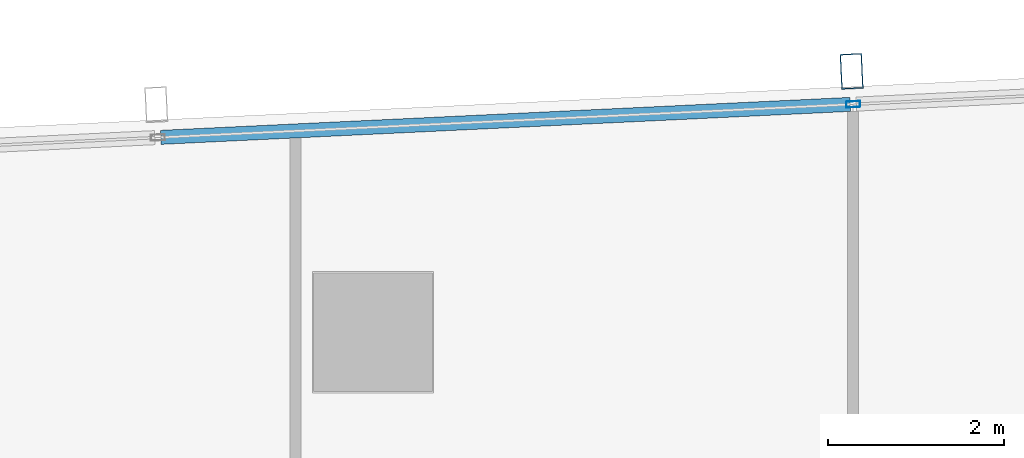
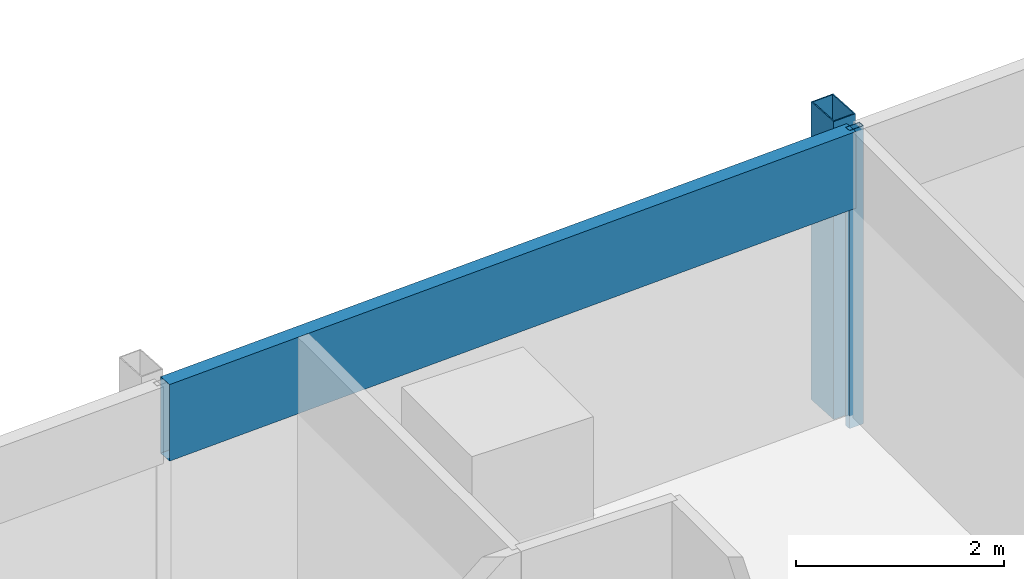
# One storey, part 19 of 38: 3 members, 1 element without a shape of its own.
"""IFC4 building model written with IfcOpenShell, lengths in metres."""

from ifc_helpers import new_model, si_unit, direction, frame, origin, origin_2d, place, context, subcontext, project, spatial, hollow_rectangle, extrude, material, material_profile, profile_set, type_object, element, aggregate, save


model = new_model("IFC4")

# Units and contexts
model_context = context("Model", 3, precision=1e-05, world=origin(), true_north=direction((0.0, 1.0)))
body_context = subcontext(model_context, "Body", "Model", "MODEL_VIEW")
ifc_project = project(units=[si_unit("LENGTHUNIT", "METRE"), si_unit("AREAUNIT", "SQUARE_METRE"), si_unit("VOLUMEUNIT", "CUBIC_METRE"), si_unit("PLANEANGLEUNIT", "RADIAN"), si_unit("MASSUNIT", "GRAM", prefix="KILO")], contexts=[model_context])

# Site, building, storey
site_placement = place(None, origin())
site = spatial("IfcSite", under=ifc_project, at=site_placement, CompositionType="ELEMENT")
building_placement = place(site_placement, origin())
building = spatial("IfcBuilding", under=site, at=building_placement, Name="Rekha Terrace Tower", CompositionType="ELEMENT")
storey_placement = place(building_placement, frame((0.0, 0.0, 202.699951171875)))
storey = spatial("IfcBuildingStorey", under=building, at=storey_placement, Name="L51", CompositionType="ELEMENT", Elevation=202.699951171875)

# Curtain wall, members
ifc_material_1 = material(Name="Aluminium framing", Category="aluminium")
curtain_wall_type = type_object("IfcCurtainWallType", Name="CW3 north unitised glazing", PredefinedType="USERDEFINED", material=ifc_material_1)
curtain_wall_placement = place(storey_placement, origin())
curtain_wall = element("IfcCurtainWall", 1, at=curtain_wall_placement, inside=storey, type_object=curtain_wall_type, Name="CW3 unitised curtain wall", ObjectType="UNITISED CURTAIN WALL", PredefinedType="USERDEFINED")
ifc_material_2 = material(Name="Steel S355 with fluorocarbon finish", Category="steel")
ifc_material_profile_1 = material_profile(ifc_material_2, hollow_rectangle(XDim=0.25, YDim=0.39990234375, WallThickness=0.012451171875, at=origin_2d()), Name="RHS400x250x12.5")
ifc_profile_set_1 = profile_set([ifc_material_profile_1], Name="Steel S355 with fluorocarbon finish")
member_type_1 = type_object("IfcMemberType", Name="BL1 facade blade RHS 400 x 250", PredefinedType="USERDEFINED", material=ifc_profile_set_1)
member_1_placement = place(storey_placement, frame((30.643310546875, 61.767578125, 0.0), z_axis=(0.0, 0.0, 1.0), x_axis=(-0.998858913274, -0.04775846913, 0.0)))
member_1 = element("IfcMember", 2, at=member_1_placement, type_object=member_type_1, Name="Facade blade", ObjectType="FACADE BLADE", PredefinedType="USERDEFINED", context=body_context, shape_type="SweptSolid", body=[
    extrude(hollow_rectangle(XDim=0.25, YDim=0.39990234375, WallThickness=0.012451171875, at=origin_2d()), origin(), (0.0, 0.0, 1.0), 3.5),
])
ifc_material_3 = material(Name="Aluminium mullion section", Category="aluminium")
ifc_material_profile_2 = material_profile(ifc_material_3, hollow_rectangle(XDim=0.070068359375, YDim=0.159912109375, WallThickness=0.00390625, at=origin_2d()), Name="AL RHS 70x160")
ifc_profile_set_2 = profile_set([ifc_material_profile_2], Name="Aluminium mullion section")
member_type_2 = type_object("IfcMemberType", Name="CW3 mullion RHS 70 x 160", PredefinedType="MULLION", material=ifc_profile_set_2)
member_2_placement = place(storey_placement, frame((30.6611328125, 61.39306640625, 0.0), z_axis=(0.0, 0.0, 1.0), x_axis=(0.047758616983, -0.998858906204, 0.0)))
member_2 = element("IfcMember", 3, at=member_2_placement, type_object=member_type_2, Name="CW3 mullion 3", PredefinedType="MULLION", context=body_context, shape_type="SweptSolid", body=[
    extrude(hollow_rectangle(XDim=0.070068359375, YDim=0.159912109375, WallThickness=0.00390625, at=origin_2d()), origin(), (0.0, 0.0, 1.0), 3.5),
])
ifc_material_4 = material(Name="Insulated aluminium spandrel box", Category="aluminium")
ifc_material_profile_3 = material_profile(ifc_material_4, hollow_rectangle(XDim=0.159912109375, YDim=0.89990234375, WallThickness=0.0029296875, at=origin_2d()), Name="AL SPANDREL BOX 160x900")
ifc_profile_set_3 = profile_set([ifc_material_profile_3], Name="Insulated aluminium spandrel box")
member_type_3 = type_object("IfcMemberType", Name="CW3 spandrel transom 160 x 900", PredefinedType="USERDEFINED", material=ifc_profile_set_3)
member_3_placement = place(storey_placement, frame((30.626220703125, 61.391357421875, 3.050048828125), z_axis=(-0.998859323292, -0.047749892907, 0.0), x_axis=(0.047749892907, -0.998859323292, 0.0)))
member_3 = element("IfcMember", 4, at=member_3_placement, type_object=member_type_3, Name="CW3 spandrel transom 3", ObjectType="TRANSOM", PredefinedType="USERDEFINED", context=body_context, shape_type="SweptSolid", body=[
    extrude(hollow_rectangle(XDim=0.159912109375, YDim=0.89990234375, WallThickness=0.0029296875, at=origin_2d()), origin(), (0.0, 0.0, 1.0), 7.848388671875),
])
aggregate(curtain_wall, [member_2, member_3, member_1])

save(model, "model.ifc")
